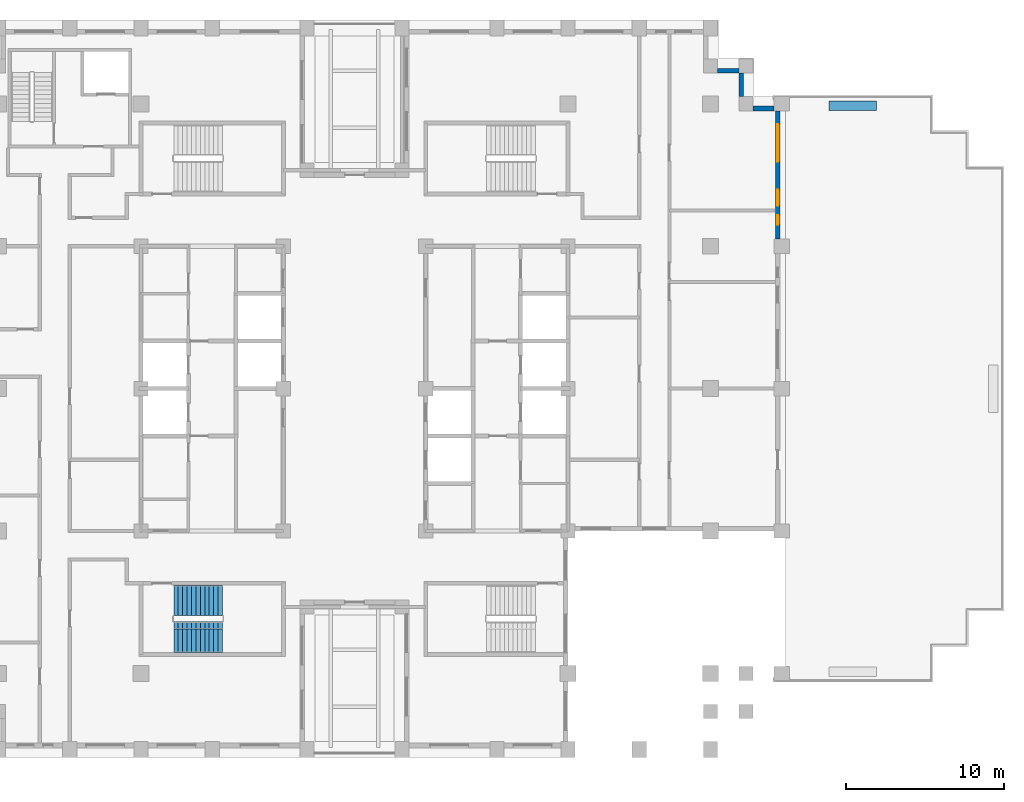
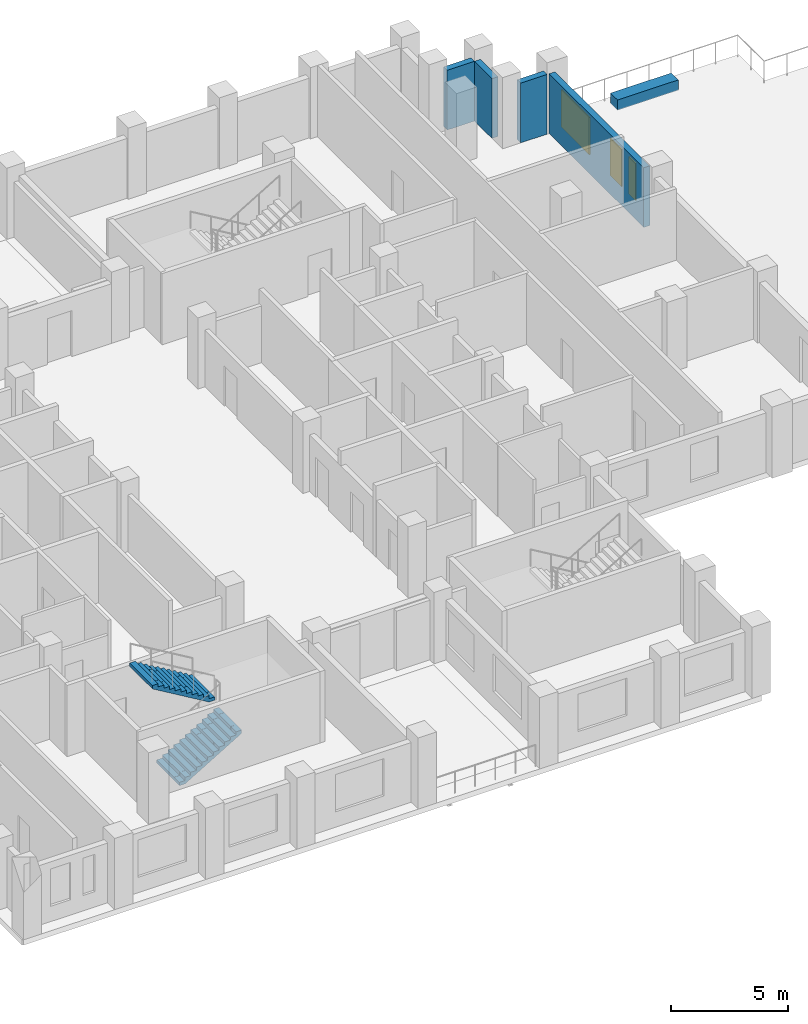
# One storey, part 9 of 12: 5 walls, 3 windows, 2 stair flights, 3 openings, 1 element without a shape of its own.
"""IFC4 building model written with IfcOpenShell, lengths in metres."""

from ifc_helpers import new_model, si_unit, direction, frame, frame_2d, origin, place, context, subcontext, project, spatial, polyline, rectangle, outline, extrude, material, layer, layer_set, type_object, element, fill, aggregate, save


model = new_model("IFC4")

# Units and contexts
model_context = context("Model", 3, precision=1e-05, world=origin(), true_north=direction((0.0, 1.0)))
body_context = subcontext(model_context, "Body", "Model", "MODEL_VIEW")
ifc_project = project(units=[si_unit("LENGTHUNIT", "METRE"), si_unit("AREAUNIT", "SQUARE_METRE"), si_unit("VOLUMEUNIT", "CUBIC_METRE"), si_unit("PLANEANGLEUNIT", "RADIAN"), si_unit("MASSUNIT", "GRAM", prefix="KILO")], contexts=[model_context])

# Site, building, storey
site_placement = place(None, origin())
site = spatial("IfcSite", under=ifc_project, at=site_placement, CompositionType="ELEMENT")
building_placement = place(site_placement, origin())
building = spatial("IfcBuilding", under=site, at=building_placement, Name="Corbelhall Arena Tower", CompositionType="ELEMENT")
storey_placement = place(building_placement, frame((0.0, 0.0, 184.0)))
storey = spatial("IfcBuildingStorey", under=building, at=storey_placement, Name="L37", CompositionType="ELEMENT", Elevation=184.0)

# Wall, openings, windows
ifc_material_1 = material(Name="Precast concrete C40/50 with granite facing", Category="masonry")
ifc_layer_1 = layer(ifc_material_1, 0.300048828125)
ifc_layer_set_1 = layer_set([ifc_layer_1], Name="EV-IW1 Infill panel 300")
wall_type_1 = type_object("IfcWallType", Name="EV-IW1 Infill panel 300", PredefinedType="SOLIDWALL", material=ifc_layer_set_1)
wall_1_placement = place(storey_placement, frame((26.75, 9.449951171875, 0.0), z_axis=(0.0, 0.0, 1.0), x_axis=(0.0, 1.0, 0.0)))
wall_1 = element("IfcWall", 1, at=wall_1_placement, inside=storey, type_object=wall_type_1, Name="Infill panel IW1", PredefinedType="SOLIDWALL", context=body_context, shape_type="SweptSolid", body=[
    extrude(rectangle(XDim=8.10009765625, YDim=0.300048828125, at=frame_2d((4.050048828125, 0.0))), origin(), (0.0, 0.0, 1.0), 3.1201171875),
])
opening_1_placement = place(wall_1_placement, frame((4.875, 0.0, 0.800048828125)))
opening_1 = element("IfcOpeningElement", 2, at=opening_1_placement, cuts=wall_1, Name="Opening WN1", PredefinedType="OPENING", context=body_context, shape_type="SweptSolid", body=[
    extrude(rectangle(XDim=2.39990234375, YDim=1.949951171875, at=frame_2d((1.199951171875, 0.97509765625))), frame((0.0, 0.14990234375, 0.0), z_axis=(0.0, -1.0, 0.0), x_axis=(1.0, 0.0, 0.0)), (0.0, 0.0, 1.0), 0.300048828125),
])
opening_2_placement = place(wall_1_placement, frame((0.91259765625, 0.0, 0.800048828125)))
opening_2 = element("IfcOpeningElement", 3, at=opening_2_placement, cuts=wall_1, Name="Opening WN5", PredefinedType="OPENING", context=body_context, shape_type="SweptSolid", body=[
    extrude(rectangle(XDim=0.60009765625, YDim=1.949951171875, at=frame_2d((0.300048828125, 0.97509765625))), frame((0.0, 0.14990234375, 0.0), z_axis=(0.0, -1.0, 0.0), x_axis=(1.0, 0.0, 0.0)), (0.0, 0.0, 1.0), 0.300048828125),
])
opening_3_placement = place(wall_1_placement, frame((2.112548828125, 0.0, 0.800048828125)))
opening_3 = element("IfcOpeningElement", 4, at=opening_3_placement, cuts=wall_1, Name="Opening WN6", PredefinedType="OPENING", context=body_context, shape_type="SweptSolid", body=[
    extrude(rectangle(XDim=1.0, YDim=1.949951171875, at=frame_2d((0.5, 0.97509765625))), frame((0.0, 0.14990234375, 0.0), z_axis=(0.0, -1.0, 0.0), x_axis=(1.0, 0.0, 0.0)), (0.0, 0.0, 1.0), 0.300048828125),
])
ifc_material_2 = material(Name="Aluminium black anodised", Category="aluminium")
window_type_1 = type_object("IfcWindowType", Name="EV-WN1 Office window", PartitioningType="SINGLE_PANEL", PredefinedType="WINDOW", material=ifc_material_2)
window_1_placement = place(opening_1_placement, origin())
window_1 = element("IfcWindow", 5, at=window_1_placement, inside=storey, type_object=window_type_1, Name="Window WN1", OverallHeight=1.949951171875, OverallWidth=2.39990234375, PartitioningType="SINGLE_PANEL", PredefinedType="WINDOW", context=body_context, shape_type="SweptSolid", body=[
    extrude(rectangle(XDim=2.39990234375, YDim=1.949951171875, at=frame_2d((1.199951171875, 0.97509765625))), frame((0.0, 0.030029296875, 0.0), z_axis=(0.0, -1.0, 0.0), x_axis=(1.0, 0.0, 0.0)), (0.0, 0.0, 1.0), 0.06005859375),
])
fill(opening_1, window_1)
window_type_2 = type_object("IfcWindowType", Name="EV-WN5 Office window 600", PartitioningType="SINGLE_PANEL", PredefinedType="WINDOW", material=ifc_material_2)
window_2_placement = place(opening_2_placement, origin())
window_2 = element("IfcWindow", 6, at=window_2_placement, inside=storey, type_object=window_type_2, Name="Window WN5", OverallHeight=1.949951171875, OverallWidth=0.60009765625, PartitioningType="SINGLE_PANEL", PredefinedType="WINDOW", context=body_context, shape_type="SweptSolid", body=[
    extrude(rectangle(XDim=0.60009765625, YDim=1.949951171875, at=frame_2d((0.300048828125, 0.97509765625))), frame((0.0, 0.030029296875, 0.0), z_axis=(0.0, -1.0, 0.0), x_axis=(1.0, 0.0, 0.0)), (0.0, 0.0, 1.0), 0.06005859375),
])
fill(opening_2, window_2)
window_type_3 = type_object("IfcWindowType", Name="EV-WN6 Office window 1000", PartitioningType="SINGLE_PANEL", PredefinedType="WINDOW", material=ifc_material_2)
window_3_placement = place(opening_3_placement, origin())
window_3 = element("IfcWindow", 7, at=window_3_placement, inside=storey, type_object=window_type_3, Name="Window WN6", OverallHeight=1.949951171875, OverallWidth=1.0, PartitioningType="SINGLE_PANEL", PredefinedType="WINDOW", context=body_context, shape_type="SweptSolid", body=[
    extrude(rectangle(XDim=1.0, YDim=1.949951171875, at=frame_2d((0.5, 0.97509765625))), frame((0.0, 0.030029296875, 0.0), z_axis=(0.0, -1.0, 0.0), x_axis=(1.0, 0.0, 0.0)), (0.0, 0.0, 1.0), 0.06005859375),
])
fill(opening_3, window_3)

# Walls
wall_2_placement = place(storey_placement, frame((26.5, 17.699951171875, 0.0), z_axis=(0.0, 0.0, 1.0), x_axis=(-1.0, 0.0, 0.0)))
element("IfcWall", 8, at=wall_2_placement, inside=storey, type_object=wall_type_1, Name="Infill panel IW1", PredefinedType="SOLIDWALL", context=body_context, shape_type="SweptSolid", body=[
    extrude(rectangle(XDim=1.300048828125, YDim=0.300048828125, at=frame_2d((0.64990234375, 0.0))), origin(), (0.0, 0.0, 1.0), 3.1201171875),
])
wall_3_placement = place(storey_placement, frame((24.449951171875, 18.449951171875, 0.0), z_axis=(0.0, 0.0, 1.0), x_axis=(0.0, 1.0, 0.0)))
element("IfcWall", 9, at=wall_3_placement, inside=storey, type_object=wall_type_1, Name="Infill panel IW1", PredefinedType="SOLIDWALL", context=body_context, shape_type="SweptSolid", body=[
    extrude(rectangle(XDim=1.5, YDim=0.300048828125, at=frame_2d((0.75, 0.0))), origin(), (0.0, 0.0, 1.0), 3.1201171875),
])
wall_4_placement = place(storey_placement, frame((24.300048828125, 20.10009765625, 0.0), z_axis=(0.0, 0.0, 1.0), x_axis=(-1.0, 0.0, 0.0)))
element("IfcWall", 10, at=wall_4_placement, inside=storey, type_object=wall_type_1, Name="Infill panel IW1", PredefinedType="SOLIDWALL", context=body_context, shape_type="SweptSolid", body=[
    extrude(rectangle(XDim=1.35009765625, YDim=0.300048828125, at=frame_2d((0.675048828125, 0.0))), origin(), (0.0, 0.0, 1.0), 3.1201171875),
])
ifc_layer_2 = layer(ifc_material_1, 0.60009765625)
ifc_layer_set_2 = layer_set([ifc_layer_2], Name="EV-PL1 Planter box")
wall_type_2 = type_object("IfcWallType", Name="EV-PL1 Planter box", PredefinedType="SOLIDWALL", material=ifc_layer_set_2)
wall_5_placement = place(storey_placement, frame((30.0, 17.8798828125, 0.0), z_axis=(0.0, 0.0, 1.0), x_axis=(1.0, 0.0, 0.0)))
element("IfcWall", 11, at=wall_5_placement, inside=storey, type_object=wall_type_2, Name="PLANTER", PredefinedType="SOLIDWALL", context=body_context, shape_type="SweptSolid", body=[
    extrude(rectangle(XDim=3.0, YDim=0.60009765625, at=frame_2d((1.5, 0.0))), origin(), (0.0, 0.0, 1.0), 0.5400390625),
])

# Stair, stair flights
ifc_material_3 = material(Name="Concrete C40/50", Category="concrete")
stair_type = type_object("IfcStairType", Name="IN-ST-TOWER", PredefinedType="HALF_TURN_STAIR", material=ifc_material_3)
stair_placement = place(storey_placement, origin())
stair = element("IfcStair", 12, at=stair_placement, inside=storey, type_object=stair_type, Name="L37 Exit stair ST2", PredefinedType="HALF_TURN_STAIR")
stair_flight_type = type_object("IfcStairFlightType", Name="IN-SFL-RC", PredefinedType="STRAIGHT", material=ifc_material_3)
stair_flight_1_placement = place(storey_placement, frame((-11.425048828125, -15.699951171875, 0.0), z_axis=(0.0, 0.0, 1.0), x_axis=(1.0, 0.0, 0.0)))
stair_flight_1 = element("IfcStairFlight", 13, at=stair_flight_1_placement, type_object=stair_flight_type, Name="ST2 flight 1", NumberOfRisers=12, NumberOfTreads=11, PredefinedType="STRAIGHT", RiserHeight=0.166666667, TreadLength=0.28, context=body_context, shape_type="SweptSolid", body=[
    extrude(outline(polyline([(0.0, 0.0), (0.0, 0.166748046875), (0.280029296875, 0.166748046875), (0.280029296875, 0.333251953125), (0.56005859375, 0.333251953125), (0.56005859375, 0.5), (0.840087890625, 0.5), (0.840087890625, 0.666748046875), (1.1201171875, 0.666748046875), (1.1201171875, 0.833251953125), (1.39990234375, 0.833251953125), (1.39990234375, 1.0), (1.679931640625, 1.0), (1.679931640625, 1.166748046875), (1.9599609375, 1.166748046875), (1.9599609375, 1.333251953125), (2.239990234375, 1.333251953125), (2.239990234375, 1.5), (2.52001953125, 1.5), (2.52001953125, 1.666748046875), (2.800048828125, 1.666748046875), (2.800048828125, 1.833251953125), (3.080078125, 1.833251953125), (3.080078125, 2.0), (3.080078125, 1.658935546875), (0.29296875, 0.0), (0.0, 0.0)])), frame((0.0, 0.97509765625, 0.0), z_axis=(0.0, -1.0, 0.0), x_axis=(1.0, 0.0, 0.0)), (0.0, 0.0, 1.0), 0.449951171875),
    extrude(outline(polyline([(0.0, 0.0), (0.0, 0.166748046875), (0.280029296875, 0.166748046875), (0.280029296875, 0.333251953125), (0.56005859375, 0.333251953125), (0.56005859375, 0.5), (0.840087890625, 0.5), (0.840087890625, 0.666748046875), (1.1201171875, 0.666748046875), (1.1201171875, 0.833251953125), (1.39990234375, 0.833251953125), (1.39990234375, 1.0), (1.679931640625, 1.0), (1.679931640625, 1.166748046875), (1.9599609375, 1.166748046875), (1.9599609375, 1.333251953125), (2.239990234375, 1.333251953125), (2.239990234375, 1.5), (2.52001953125, 1.5), (2.52001953125, 1.666748046875), (2.800048828125, 1.666748046875), (2.800048828125, 1.833251953125), (3.080078125, 1.833251953125), (3.080078125, 2.0), (3.080078125, 1.658935546875), (0.29296875, 0.0), (0.0, 0.0)])), frame((0.0, 0.52099609375, 0.0), z_axis=(0.0, -1.0, 0.0), x_axis=(1.0, 0.0, 0.0)), (0.0, 0.0, 1.0), 1.0419921875),
    extrude(outline(polyline([(0.0, 0.0), (0.0, 0.166748046875), (0.280029296875, 0.166748046875), (0.280029296875, 0.333251953125), (0.56005859375, 0.333251953125), (0.56005859375, 0.5), (0.840087890625, 0.5), (0.840087890625, 0.666748046875), (1.1201171875, 0.666748046875), (1.1201171875, 0.833251953125), (1.39990234375, 0.833251953125), (1.39990234375, 1.0), (1.679931640625, 1.0), (1.679931640625, 1.166748046875), (1.9599609375, 1.166748046875), (1.9599609375, 1.333251953125), (2.239990234375, 1.333251953125), (2.239990234375, 1.5), (2.52001953125, 1.5), (2.52001953125, 1.666748046875), (2.800048828125, 1.666748046875), (2.800048828125, 1.833251953125), (3.080078125, 1.833251953125), (3.080078125, 2.0), (3.080078125, 1.658935546875), (0.29296875, 0.0), (0.0, 0.0)])), frame((0.0, -0.52490234375, 0.0), z_axis=(0.0, -1.0, 0.0), x_axis=(1.0, 0.0, 0.0)), (0.0, 0.0, 1.0), 0.449951171875),
])
stair_flight_2_placement = place(storey_placement, frame((-8.344970703125, -13.39990234375, 2.0), z_axis=(0.0, 0.0, 1.0), x_axis=(-1.0, 0.0, 0.0)))
stair_flight_2 = element("IfcStairFlight", 14, at=stair_flight_2_placement, type_object=stair_flight_type, Name="ST2 flight 2", NumberOfRisers=12, NumberOfTreads=11, PredefinedType="STRAIGHT", RiserHeight=0.166666667, TreadLength=0.28, context=body_context, shape_type="SweptSolid", body=[
    extrude(outline(polyline([(0.0, 0.0), (0.0, 0.166748046875), (0.280029296875, 0.166748046875), (0.280029296875, 0.333251953125), (0.56005859375, 0.333251953125), (0.56005859375, 0.5), (0.840087890625, 0.5), (0.840087890625, 0.666748046875), (1.1201171875, 0.666748046875), (1.1201171875, 0.833251953125), (1.39990234375, 0.833251953125), (1.39990234375, 1.0), (1.679931640625, 1.0), (1.679931640625, 1.166748046875), (1.9599609375, 1.166748046875), (1.9599609375, 1.333251953125), (2.239990234375, 1.333251953125), (2.239990234375, 1.5), (2.52001953125, 1.5), (2.52001953125, 1.666748046875), (2.800048828125, 1.666748046875), (2.800048828125, 1.833251953125), (3.080078125, 1.833251953125), (3.080078125, 2.0), (3.080078125, 1.658935546875), (0.29296875, 0.0), (0.0, 0.0)])), frame((0.0, 0.97509765625, 0.0), z_axis=(0.0, -1.0, 0.0), x_axis=(1.0, 0.0, 0.0)), (0.0, 0.0, 1.0), 0.449951171875),
    extrude(outline(polyline([(0.0, 0.0), (0.0, 0.166748046875), (0.280029296875, 0.166748046875), (0.280029296875, 0.333251953125), (0.56005859375, 0.333251953125), (0.56005859375, 0.5), (0.840087890625, 0.5), (0.840087890625, 0.666748046875), (1.1201171875, 0.666748046875), (1.1201171875, 0.833251953125), (1.39990234375, 0.833251953125), (1.39990234375, 1.0), (1.679931640625, 1.0), (1.679931640625, 1.166748046875), (1.9599609375, 1.166748046875), (1.9599609375, 1.333251953125), (2.239990234375, 1.333251953125), (2.239990234375, 1.5), (2.52001953125, 1.5), (2.52001953125, 1.666748046875), (2.800048828125, 1.666748046875), (2.800048828125, 1.833251953125), (3.080078125, 1.833251953125), (3.080078125, 2.0), (3.080078125, 1.658935546875), (0.29296875, 0.0), (0.0, 0.0)])), frame((0.0, 0.52099609375, 0.0), z_axis=(0.0, -1.0, 0.0), x_axis=(1.0, 0.0, 0.0)), (0.0, 0.0, 1.0), 1.0419921875),
    extrude(outline(polyline([(0.0, 0.0), (0.0, 0.166748046875), (0.280029296875, 0.166748046875), (0.280029296875, 0.333251953125), (0.56005859375, 0.333251953125), (0.56005859375, 0.5), (0.840087890625, 0.5), (0.840087890625, 0.666748046875), (1.1201171875, 0.666748046875), (1.1201171875, 0.833251953125), (1.39990234375, 0.833251953125), (1.39990234375, 1.0), (1.679931640625, 1.0), (1.679931640625, 1.166748046875), (1.9599609375, 1.166748046875), (1.9599609375, 1.333251953125), (2.239990234375, 1.333251953125), (2.239990234375, 1.5), (2.52001953125, 1.5), (2.52001953125, 1.666748046875), (2.800048828125, 1.666748046875), (2.800048828125, 1.833251953125), (3.080078125, 1.833251953125), (3.080078125, 2.0), (3.080078125, 1.658935546875), (0.29296875, 0.0), (0.0, 0.0)])), frame((0.0, -0.52490234375, 0.0), z_axis=(0.0, -1.0, 0.0), x_axis=(1.0, 0.0, 0.0)), (0.0, 0.0, 1.0), 0.449951171875),
])
aggregate(stair, [stair_flight_1, stair_flight_2])

save(model, "model.ifc")
